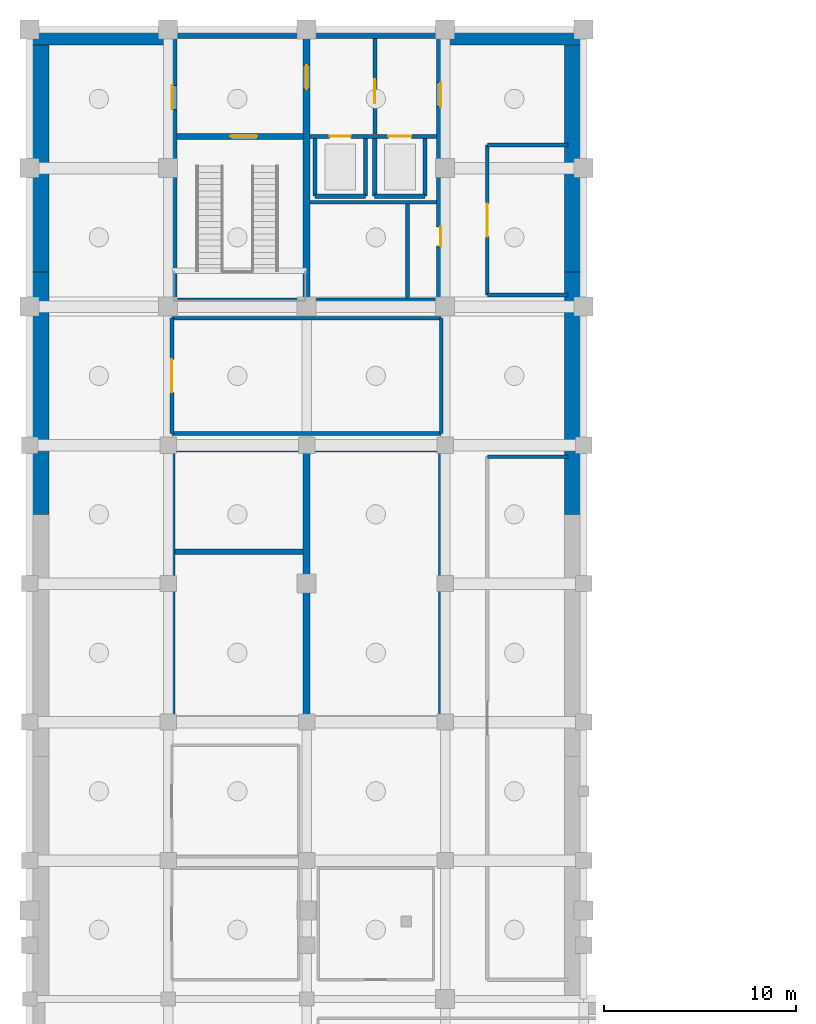
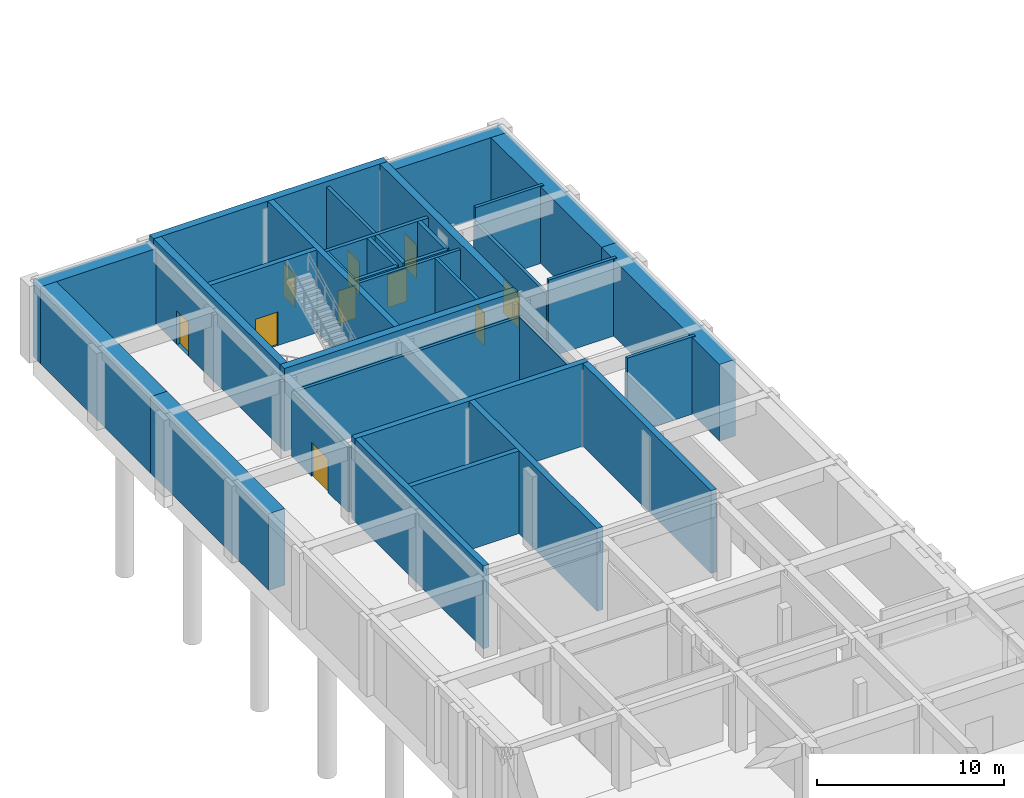
# One storey, part 9 of 15: 35 walls, 10 doors, 10 openings.
"""IFC4 building model written with IfcOpenShell, lengths in metres."""

from ifc_helpers import new_model, si_unit, direction, frame, frame_2d, origin, place, context, subcontext, project, spatial, rectangle, extrude, material, layer, layer_set, type_object, element, fill, save


model = new_model("IFC4")

# Units and contexts
model_context = context("Model", 3, precision=1e-05, world=origin(), true_north=direction((0.0, 1.0)))
body_context = subcontext(model_context, "Body", "Model", "MODEL_VIEW")
ifc_project = project(units=[si_unit("LENGTHUNIT", "METRE"), si_unit("AREAUNIT", "SQUARE_METRE"), si_unit("VOLUMEUNIT", "CUBIC_METRE"), si_unit("PLANEANGLEUNIT", "RADIAN"), si_unit("MASSUNIT", "GRAM", prefix="KILO")], contexts=[model_context])

# Site, building, storey
site_placement = place(None, origin())
site = spatial("IfcSite", under=ifc_project, at=site_placement, CompositionType="ELEMENT")
building_placement = place(site_placement, origin())
building = spatial("IfcBuilding", under=site, at=building_placement, Name="Leyfeld Transit Interchange", CompositionType="ELEMENT")
storey_placement = place(building_placement, frame((0.0, 0.0, -10.800048828125)))
storey = spatial("IfcBuildingStorey", under=building, at=storey_placement, Name="B02", CompositionType="ELEMENT", Elevation=-10.800048828125)

# Walls
ifc_material_1 = material(Name="Concrete C35/45", Category="concrete")
ifc_layer_1 = layer(ifc_material_1, 1.0, Name="Concrete C35/45")
ifc_layer_set_1 = layer_set([ifc_layer_1], Name="Concrete C35/45")
wall_type_1 = type_object("IfcWallType", Name="WL-DW-1000", PredefinedType="USERDEFINED", material=ifc_layer_set_1)
wall_1_placement = place(storey_placement, frame((0.5, 82.800048828125, 0.0), z_axis=(0.0, 0.0, 1.0), x_axis=(0.0, 1.0, 0.0)))
element("IfcWall", 1, at=wall_1_placement, inside=storey, type_object=wall_type_1, Name="Metro Diaphragm Wall DW-B02-S03-P03", ObjectType="RETAININGWALL", PredefinedType="USERDEFINED", context=body_context, shape_type="SweptSolid", body=[
    extrude(rectangle(XDim=12.599853515625, YDim=1.0, at=frame_2d((6.2998046875, 0.0))), origin(), (0.0, 0.0, 1.0), 5.0),
])
for number, where, z_axis, x_axis, name in (
    (2, (0.5, 95.39990234375, 0.0), (0.0, 0.0, 1.0), (0.0, 1.0, 0.0), "Metro Diaphragm Wall DW-B02-S03-P04"),
    (3, (28.300048828125, 108.0, 0.0), (0.0, 0.0, 1.0), (0.0, -1.0, 0.0), "Metro Diaphragm Wall DW-B02-S05-P01"),
):
    element("IfcWall", number, at=place(storey_placement, frame(where, z_axis=z_axis, x_axis=x_axis)), inside=storey, type_object=wall_type_1, Name=name, ObjectType="RETAININGWALL", PredefinedType="USERDEFINED", context=body_context, shape_type="SweptSolid", body=[
        extrude(rectangle(XDim=12.60009765625, YDim=1.0, at=frame_2d((6.300048828125, 0.0))), origin(), (0.0, 0.0, 1.0), 5.0),
    ])
wall_2_placement = place(storey_placement, frame((28.300048828125, 95.39990234375, 0.0), z_axis=(0.0, 0.0, 1.0), x_axis=(0.0, -1.0, 0.0)))
element("IfcWall", 4, at=wall_2_placement, inside=storey, type_object=wall_type_1, Name="Metro Diaphragm Wall DW-B02-S05-P02", ObjectType="RETAININGWALL", PredefinedType="USERDEFINED", context=body_context, shape_type="SweptSolid", body=[
    extrude(rectangle(XDim=12.599853515625, YDim=1.0, at=frame_2d((6.2998046875, 0.0))), origin(), (0.0, 0.0, 1.0), 5.0),
])
ifc_layer_2 = layer(ifc_material_1, 0.800048828125, Name="Concrete C35/45")
ifc_layer_set_2 = layer_set([ifc_layer_2], Name="Concrete C35/45")
wall_type_2 = type_object("IfcWallType", Name="WL-DW-800", PredefinedType="USERDEFINED", material=ifc_layer_set_2)
wall_3_placement = place(storey_placement, frame((0.0, 107.60009765625, 0.0), z_axis=(0.0, 0.0, 1.0), x_axis=(1.0, 0.0, 0.0)))
element("IfcWall", 5, at=wall_3_placement, inside=storey, type_object=wall_type_2, Name="Metro Diaphragm Wall DW-B02-S04-P01", ObjectType="RETAININGWALL", PredefinedType="USERDEFINED", context=body_context, shape_type="SweptSolid", body=[
    extrude(rectangle(XDim=7.14990234375, YDim=0.800048828125, at=frame_2d((3.574951171875, 0.0))), origin(), (0.0, 0.0, 1.0), 5.0),
])
wall_4_placement = place(storey_placement, frame((21.64990234375, 107.60009765625, 0.0), z_axis=(0.0, 0.0, 1.0), x_axis=(1.0, 0.0, 0.0)))
element("IfcWall", 6, at=wall_4_placement, inside=storey, type_object=wall_type_2, Name="Metro Diaphragm Wall DW-B02-S04-P02", ObjectType="RETAININGWALL", PredefinedType="USERDEFINED", context=body_context, shape_type="SweptSolid", body=[
    extrude(rectangle(XDim=7.150146484375, YDim=0.800048828125, at=frame_2d((3.5751953125, 0.0))), origin(), (0.0, 0.0, 1.0), 5.0),
])

# Wall, opening, door
ifc_layer_3 = layer(ifc_material_1, 0.199951171875, Name="Concrete C35/45")
ifc_layer_set_3 = layer_set([ifc_layer_3], Name="Concrete C35/45")
wall_type_3 = type_object("IfcWallType", Name="WL-INT-FFL-200", PredefinedType="PARTITIONING", material=ifc_layer_set_3)
wall_5_placement = place(storey_placement, frame((17.949951171875, 102.56005859375, 0.0), z_axis=(0.0, 0.0, 1.0), x_axis=(0.0, 1.0, 0.0)))
wall_5 = element("IfcWall", 7, at=wall_5_placement, inside=storey, type_object=wall_type_3, Name="Core K1 Firefighting Lobby Compartment Wall B02", PredefinedType="PARTITIONING", context=body_context, shape_type="SweptSolid", body=[
    extrude(rectangle(XDim=4.989990234375, YDim=0.199951171875, at=frame_2d((2.4951171875, 0.0))), origin(), (0.0, 0.0, 1.0), 5.050048828125),
])
opening_1_placement = place(wall_5_placement, frame((1.60009765625, 0.0, 0.0)))
opening_1 = element("IfcOpeningElement", 8, at=opening_1_placement, cuts=wall_5, Name="Opening DI-02", PredefinedType="OPENING", context=body_context, shape_type="SweptSolid", body=[
    extrude(rectangle(XDim=1.25, YDim=2.199951171875, at=frame_2d((0.625, 1.10009765625))), frame((0.0, 0.10986328125, 0.0), z_axis=(0.0, -1.0, 0.0), x_axis=(1.0, 0.0, 0.0)), (0.0, 0.0, 1.0), 0.219970703125),
])
ifc_material_2 = material(Name="Galvanised steel S275JR", Category="steel")
door_type_1 = type_object("IfcDoorType", Name="DR-FFL-1250x2200", OperationType="NOTDEFINED", PredefinedType="DOOR", material=ifc_material_2)
door_1_placement = place(opening_1_placement, origin())
door_1 = element("IfcDoor", 9, at=door_1_placement, inside=storey, type_object=door_type_1, Name="DR-FFL-CON-K1-B02", OperationType="SINGLE_SWING_RIGHT", OverallHeight=2.199951171875, OverallWidth=1.25, PredefinedType="DOOR", context=body_context, shape_type="SweptSolid", body=[
    extrude(rectangle(XDim=1.25, YDim=2.199951171875, at=frame_2d((0.625, 1.10009765625))), frame((0.0, 0.02490234375, 0.0), z_axis=(0.0, -1.0, 0.0), x_axis=(1.0, 0.0, 0.0)), (0.0, 0.0, 1.0), 0.050048828125),
])
fill(opening_1, door_1)

# Walls
ifc_material_3 = material(Name="Calcium silicate masonry", Category="masonry")
ifc_layer_4 = layer(ifc_material_3, 0.18994140625, Name="Calcium silicate masonry")
ifc_layer_set_4 = layer_set([ifc_layer_4], Name="Calcium silicate masonry")
wall_type_4 = type_object("IfcWallType", Name="WL-INT-PLT-190", PredefinedType="PARTITIONING", material=ifc_layer_set_4)
wall_6_placement = place(storey_placement, frame((14.580078125, 99.02001953125, 0.0), z_axis=(0.0, 0.0, 1.0), x_axis=(1.0, 0.0, 0.0)))
element("IfcWall", 10, at=wall_6_placement, inside=storey, type_object=wall_type_4, Name="Core K1 Riser Compartment Wall B02", PredefinedType="PARTITIONING", context=body_context, shape_type="SweptSolid", body=[
    extrude(rectangle(XDim=6.56982421875, YDim=0.18994140625, at=frame_2d((3.284912109375, 0.0))), origin(), (0.0, 0.0, 1.0), 5.050048828125),
])
wall_7_placement = place(storey_placement, frame((19.64990234375, 94.050048828125, 0.0), z_axis=(0.0, 0.0, 1.0), x_axis=(0.0, 1.0, 0.0)))
element("IfcWall", 11, at=wall_7_placement, inside=storey, type_object=wall_type_4, Name="Core K1 Riser Shaft East Wall B02", PredefinedType="PARTITIONING", context=body_context, shape_type="SweptSolid", body=[
    extrude(rectangle(XDim=4.8798828125, YDim=0.18994140625, at=frame_2d((2.43994140625, 0.0))), origin(), (0.0, 0.0, 1.0), 5.050048828125),
])
for number, where, z_axis, x_axis, name in (
    (12, (7.39990234375, 93.0, 0.0), (0.0, 0.0, 1.0), (1.0, 0.0, 0.0), "Interior Partition B02-UPS-01 N"),
    (13, (21.39990234375, 87.0, 0.0), (0.0, 0.0, 1.0), (-1.0, 0.0, 0.0), "Interior Partition B02-UPS-01 S"),
):
    element("IfcWall", number, at=place(storey_placement, frame(where, z_axis=z_axis, x_axis=x_axis)), inside=storey, type_object=wall_type_4, Name=name, PredefinedType="PARTITIONING", context=body_context, shape_type="SweptSolid", body=[
        extrude(rectangle(XDim=14.0, YDim=0.18994140625, at=frame_2d((7.0, 0.0))), origin(), (0.0, 0.0, 1.0), 4.219970703125),
    ])
wall_8_placement = place(storey_placement, frame((21.39990234375, 93.0, 0.0), z_axis=(0.0, 0.0, 1.0), x_axis=(0.0, -1.0, 0.0)))
element("IfcWall", 14, at=wall_8_placement, inside=storey, type_object=wall_type_4, Name="Interior Partition B02-UPS-01 E", PredefinedType="PARTITIONING", context=body_context, shape_type="SweptSolid", body=[
    extrude(rectangle(XDim=6.0, YDim=0.18994140625, at=frame_2d((3.0, 0.0))), origin(), (0.0, 0.0, 1.0), 4.219970703125),
])

# Wall, opening, door
wall_9_placement = place(storey_placement, frame((7.39990234375, 87.0, 0.0), z_axis=(0.0, 0.0, 1.0), x_axis=(0.0, 1.0, 0.0)))
wall_9 = element("IfcWall", 15, at=wall_9_placement, inside=storey, type_object=wall_type_4, Name="Interior Partition B02-UPS-01 W", PredefinedType="PARTITIONING", context=body_context, shape_type="SweptSolid", body=[
    extrude(rectangle(XDim=6.0, YDim=0.18994140625, at=frame_2d((3.0, 0.0))), origin(), (0.0, 0.0, 1.0), 4.219970703125),
])
opening_2_placement = place(wall_9_placement, frame((2.139892578125, 0.0, 0.0)))
opening_2 = element("IfcOpeningElement", 16, at=opening_2_placement, cuts=wall_9, Name="Opening DU-18", PredefinedType="OPENING", context=body_context, shape_type="SweptSolid", body=[
    extrude(rectangle(XDim=1.719970703125, YDim=2.219970703125, at=frame_2d((0.85986328125, 1.10986328125))), frame((0.0, 0.10498046875, 0.0), z_axis=(0.0, -1.0, 0.0), x_axis=(1.0, 0.0, 0.0)), (0.0, 0.0, 1.0), 0.2099609375),
])
ifc_material_4 = material(Name="Austrian larch glulam GL28h", Category="wood")
door_type_2 = type_object("IfcDoorType", Name="DR-UNQ-18", OperationType="NOTDEFINED", PredefinedType="DOOR", material=ifc_material_4)
door_2_placement = place(opening_2_placement, origin())
door_2 = element("IfcDoor", 17, at=door_2_placement, inside=storey, type_object=door_type_2, Name="DR-B02-UPS-01", OperationType="DOUBLE_DOOR_SINGLE_SWING", OverallHeight=2.219970703125, OverallWidth=1.719970703125, PredefinedType="DOOR", context=body_context, shape_type="SweptSolid", body=[
    extrude(rectangle(XDim=1.719970703125, YDim=2.219970703125, at=frame_2d((0.85986328125, 1.10986328125))), frame((0.0, 0.02490234375, 0.0), z_axis=(0.0, -1.0, 0.0), x_axis=(1.0, 0.0, 0.0)), (0.0, 0.0, 1.0), 0.050048828125),
])
fill(opening_2, door_2)

# Walls
for number, where, z_axis, x_axis, name in (
    (18, (23.800048828125, 85.800048828125, 0.0), (0.0, 0.0, 1.0), (1.0, 0.0, 0.0), "Interior Partition B02-SWG-01 N"),
    (19, (23.800048828125, 102.0, 0.0), (0.0, 0.0, 1.0), (1.0, 0.0, 0.0), "Interior Partition B02-CHL-01 N"),
    (20, (28.0, 94.199951171875, 0.0), (0.0, 0.0, 1.0), (-1.0, 0.0, 0.0), "Interior Partition B02-CHL-01 S"),
):
    element("IfcWall", number, at=place(storey_placement, frame(where, z_axis=z_axis, x_axis=x_axis)), inside=storey, type_object=wall_type_4, Name=name, PredefinedType="PARTITIONING", context=body_context, shape_type="SweptSolid", body=[
        extrude(rectangle(XDim=4.199951171875, YDim=0.18994140625, at=frame_2d((2.10009765625, 0.0))), origin(), (0.0, 0.0, 1.0), 5.050048828125),
    ])

# Wall, opening, door
wall_10_placement = place(storey_placement, frame((23.800048828125, 94.199951171875, 0.0), z_axis=(0.0, 0.0, 1.0), x_axis=(0.0, 1.0, 0.0)))
wall_10 = element("IfcWall", 21, at=wall_10_placement, inside=storey, type_object=wall_type_4, Name="Interior Partition B02-CHL-01 W", PredefinedType="PARTITIONING", context=body_context, shape_type="SweptSolid", body=[
    extrude(rectangle(XDim=7.800048828125, YDim=0.18994140625, at=frame_2d((3.89990234375, 0.0))), origin(), (0.0, 0.0, 1.0), 4.1201171875),
])
opening_3_placement = place(wall_10_placement, frame((3.0400390625, 0.0, 0.0)))
opening_3 = element("IfcOpeningElement", 22, at=opening_3_placement, cuts=wall_10, Name="Opening DU-18", PredefinedType="OPENING", context=body_context, shape_type="SweptSolid", body=[
    extrude(rectangle(XDim=1.719970703125, YDim=2.219970703125, at=frame_2d((0.85986328125, 1.10986328125))), frame((0.0, 0.10498046875, 0.0), z_axis=(0.0, -1.0, 0.0), x_axis=(1.0, 0.0, 0.0)), (0.0, 0.0, 1.0), 0.2099609375),
])
door_3_placement = place(opening_3_placement, origin())
door_3 = element("IfcDoor", 23, at=door_3_placement, inside=storey, type_object=door_type_2, Name="DR-B02-CHL-01", OperationType="DOUBLE_DOOR_SINGLE_SWING", OverallHeight=2.219970703125, OverallWidth=1.719970703125, PredefinedType="DOOR", context=body_context, shape_type="SweptSolid", body=[
    extrude(rectangle(XDim=1.719970703125, YDim=2.219970703125, at=frame_2d((0.85986328125, 1.10986328125))), frame((0.0, 0.02490234375, 0.0), z_axis=(0.0, -1.0, 0.0), x_axis=(1.0, 0.0, 0.0)), (0.0, 0.0, 1.0), 0.050048828125),
])
fill(opening_3, door_3)

# Wall, openings, doors
ifc_layer_5 = layer(ifc_material_1, 0.219970703125, Name="Concrete C35/45")
ifc_layer_set_5 = layer_set([ifc_layer_5], Name="Concrete C35/45")
wall_type_5 = type_object("IfcWallType", Name="WL-INT-SHF-220", PredefinedType="PARTITIONING", material=ifc_layer_set_5)
wall_11_placement = place(storey_placement, frame((14.580078125, 102.449951171875, 0.0), z_axis=(0.0, 0.0, 1.0), x_axis=(1.0, 0.0, 0.0)))
wall_11 = element("IfcWall", 24, at=wall_11_placement, inside=storey, type_object=wall_type_5, Name="Core K1 Lift Shaft Front Wall B02", PredefinedType="PARTITIONING", context=body_context, shape_type="SweptSolid", body=[
    extrude(rectangle(XDim=6.56982421875, YDim=0.219970703125, at=frame_2d((3.284912109375, 0.0))), origin(), (0.0, 0.0, 1.0), 5.050048828125),
])
opening_4_placement = place(wall_11_placement, frame((1.02001953125, 0.0, 0.0)))
opening_4 = element("IfcOpeningElement", 25, at=opening_4_placement, cuts=wall_11, Name="Opening LD-01", PredefinedType="OPENING", context=body_context, shape_type="SweptSolid", body=[
    extrude(rectangle(XDim=1.10009765625, YDim=2.14990234375, at=frame_2d((0.550048828125, 1.074951171875))), frame((0.0, 0.119873046875, 0.0), z_axis=(0.0, -1.0, 0.0), x_axis=(1.0, 0.0, 0.0)), (0.0, 0.0, 1.0), 0.239990234375),
])
opening_5_placement = place(wall_11_placement, frame((4.070068359375, 0.0, 0.0)))
opening_5 = element("IfcOpeningElement", 26, at=opening_5_placement, cuts=wall_11, Name="Opening LD-02", PredefinedType="OPENING", context=body_context, shape_type="SweptSolid", body=[
    extrude(rectangle(XDim=1.199951171875, YDim=2.14990234375, at=frame_2d((0.60009765625, 1.074951171875))), frame((0.0, 0.119873046875, 0.0), z_axis=(0.0, -1.0, 0.0), x_axis=(1.0, 0.0, 0.0)), (0.0, 0.0, 1.0), 0.239990234375),
])
ifc_material_5 = material(Name="Stainless steel EN 1.4404", Category="steel")
door_type_3 = type_object("IfcDoorType", Name="DR-LD-FFL-1100x2150", OperationType="NOTDEFINED", PredefinedType="DOOR", material=ifc_material_5)
door_4_placement = place(opening_4_placement, origin())
door_4 = element("IfcDoor", 27, at=door_4_placement, inside=storey, type_object=door_type_3, Name="LD-FFL-1-B02", OperationType="DOUBLE_DOOR_SLIDING", OverallHeight=2.14990234375, OverallWidth=1.10009765625, PredefinedType="DOOR", context=body_context, shape_type="SweptSolid", body=[
    extrude(rectangle(XDim=1.10009765625, YDim=2.14990234375, at=frame_2d((0.550048828125, 1.074951171875))), frame((0.0, 0.02490234375, 0.0), z_axis=(0.0, -1.0, 0.0), x_axis=(1.0, 0.0, 0.0)), (0.0, 0.0, 1.0), 0.050048828125),
])
fill(opening_4, door_4)
door_type_4 = type_object("IfcDoorType", Name="DR-LD-PAS-1200x2150", OperationType="NOTDEFINED", PredefinedType="DOOR", material=ifc_material_5)
door_5_placement = place(opening_5_placement, origin())
door_5 = element("IfcDoor", 28, at=door_5_placement, inside=storey, type_object=door_type_4, Name="LD-PL-1-B02", OperationType="DOUBLE_DOOR_SLIDING", OverallHeight=2.14990234375, OverallWidth=1.199951171875, PredefinedType="DOOR", context=body_context, shape_type="SweptSolid", body=[
    extrude(rectangle(XDim=1.199951171875, YDim=2.14990234375, at=frame_2d((0.60009765625, 1.074951171875))), frame((0.0, 0.02490234375, 0.0), z_axis=(0.0, -1.0, 0.0), x_axis=(1.0, 0.0, 0.0)), (0.0, 0.0, 1.0), 0.050048828125),
])
fill(opening_5, door_5)

# Walls
wall_12_placement = place(storey_placement, frame((14.840087890625, 99.340087890625, 0.0), z_axis=(0.0, 0.0, 1.0), x_axis=(1.0, 0.0, 0.0)))
element("IfcWall", 29, at=wall_12_placement, inside=storey, type_object=wall_type_5, Name="Core K1 Lift FFL-1 Shaft Back Wall B02", PredefinedType="PARTITIONING", context=body_context, shape_type="SweptSolid", body=[
    extrude(rectangle(XDim=2.619873046875, YDim=0.219970703125, at=frame_2d((1.31005859375, 0.0))), origin(), (0.0, 0.0, 1.0), 5.050048828125),
])
for number, where, z_axis, x_axis, name in (
    (30, (14.840087890625, 99.340087890625, 0.0), (0.0, 0.0, 1.0), (0.0, 1.0, 0.0), "Core K1 Lift FFL-1 Shaft Wall W B02"),
    (31, (17.4599609375, 99.340087890625, 0.0), (0.0, 0.0, 1.0), (0.0, 1.0, 0.0), "Core K1 Lift FFL-1 Shaft Wall E B02"),
):
    element("IfcWall", number, at=place(storey_placement, frame(where, z_axis=z_axis, x_axis=x_axis)), inside=storey, type_object=wall_type_5, Name=name, PredefinedType="PARTITIONING", context=body_context, shape_type="SweptSolid", body=[
        extrude(rectangle(XDim=3.0, YDim=0.219970703125, at=frame_2d((1.5, 0.0))), origin(), (0.0, 0.0, 1.0), 5.050048828125),
    ])
wall_13_placement = place(storey_placement, frame((17.93994140625, 99.340087890625, 0.0), z_axis=(0.0, 0.0, 1.0), x_axis=(1.0, 0.0, 0.0)))
element("IfcWall", 32, at=wall_13_placement, inside=storey, type_object=wall_type_5, Name="Core K1 Lift PL-1 Shaft Back Wall B02", PredefinedType="PARTITIONING", context=body_context, shape_type="SweptSolid", body=[
    extrude(rectangle(XDim=2.6201171875, YDim=0.219970703125, at=frame_2d((1.31005859375, 0.0))), origin(), (0.0, 0.0, 1.0), 5.050048828125),
])
for number, where, z_axis, x_axis, name in (
    (33, (17.93994140625, 99.340087890625, 0.0), (0.0, 0.0, 1.0), (0.0, 1.0, 0.0), "Core K1 Lift PL-1 Shaft Wall W B02"),
    (34, (20.56005859375, 99.340087890625, 0.0), (0.0, 0.0, 1.0), (0.0, 1.0, 0.0), "Core K1 Lift PL-1 Shaft Wall E B02"),
):
    element("IfcWall", number, at=place(storey_placement, frame(where, z_axis=z_axis, x_axis=x_axis)), inside=storey, type_object=wall_type_5, Name=name, PredefinedType="PARTITIONING", context=body_context, shape_type="SweptSolid", body=[
        extrude(rectangle(XDim=3.0, YDim=0.219970703125, at=frame_2d((1.5, 0.0))), origin(), (0.0, 0.0, 1.0), 5.050048828125),
    ])

# Wall, opening, door
ifc_layer_6 = layer(ifc_material_1, 0.300048828125, Name="Concrete C35/45")
ifc_layer_set_6 = layer_set([ifc_layer_6], Name="Concrete C35/45")
wall_type_6 = type_object("IfcWallType", Name="WL-SH-300", PredefinedType="SHEAR", material=ifc_layer_set_6)
wall_14_placement = place(storey_placement, frame((7.64990234375, 102.449951171875, 0.0), z_axis=(0.0, 0.0, 1.0), x_axis=(1.0, 0.0, 0.0)))
wall_14 = element("IfcWall", 35, at=wall_14_placement, inside=storey, type_object=wall_type_6, Name="Core K1 Shear Wall STRN B02", PredefinedType="SHEAR", context=body_context, shape_type="SweptSolid", body=[
    extrude(rectangle(XDim=6.5751953125, YDim=0.300048828125, at=frame_2d((3.28759765625, 0.0))), origin(), (0.0, 0.0, 1.0), 5.400146484375),
])
opening_6_placement = place(wall_14_placement, frame((2.78759765625, 0.0, 0.0)))
opening_6 = element("IfcOpeningElement", 36, at=opening_6_placement, cuts=wall_14, Name="Opening DI-01", PredefinedType="OPENING", context=body_context, shape_type="SweptSolid", body=[
    extrude(rectangle(XDim=1.39990234375, YDim=2.199951171875, at=frame_2d((0.699951171875, 1.10009765625))), frame((0.0, 0.159912109375, 0.0), z_axis=(0.0, -1.0, 0.0), x_axis=(1.0, 0.0, 0.0)), (0.0, 0.0, 1.0), 0.320068359375),
])
door_type_5 = type_object("IfcDoorType", Name="DR-STR-1400x2200", OperationType="NOTDEFINED", PredefinedType="DOOR", material=ifc_material_2)
door_6_placement = place(opening_6_placement, origin())
door_6 = element("IfcDoor", 37, at=door_6_placement, inside=storey, type_object=door_type_5, Name="DR-STR-INT-K1-B02", OperationType="SINGLE_SWING_LEFT", OverallHeight=2.199951171875, OverallWidth=1.39990234375, PredefinedType="DOOR", context=body_context, shape_type="SweptSolid", body=[
    extrude(rectangle(XDim=1.39990234375, YDim=2.199951171875, at=frame_2d((0.699951171875, 1.10009765625))), frame((0.0, 0.02490234375, 0.0), z_axis=(0.0, -1.0, 0.0), x_axis=(1.0, 0.0, 0.0)), (0.0, 0.0, 1.0), 0.050048828125),
])
fill(opening_6, door_6)

# Wall
wall_15_placement = place(storey_placement, frame((7.550048828125, 80.85009765625, 0.0), z_axis=(0.0, 0.0, 1.0), x_axis=(1.0, 0.0, 0.0)))
element("IfcWall", 38, at=wall_15_placement, inside=storey, type_object=wall_type_6, Name="Core K3 Shear Wall STRN B02", PredefinedType="SHEAR", context=body_context, shape_type="SweptSolid", body=[
    extrude(rectangle(XDim=6.675048828125, YDim=0.300048828125, at=frame_2d((3.33740234375, 0.0))), origin(), (0.0, 0.0, 1.0), 5.400146484375),
])

# Wall, opening, door
ifc_layer_7 = layer(ifc_material_1, 0.35009765625, Name="Concrete C35/45")
ifc_layer_set_7 = layer_set([ifc_layer_7], Name="Concrete C35/45")
wall_type_7 = type_object("IfcWallType", Name="WL-SH-350", PredefinedType="SHEAR", material=ifc_layer_set_7)
wall_16_placement = place(storey_placement, frame((14.39990234375, 107.550048828125, 0.0), z_axis=(0.0, 0.0, 1.0), x_axis=(0.0, -1.0, 0.0)))
wall_16 = element("IfcWall", 39, at=wall_16_placement, inside=storey, type_object=wall_type_7, Name="Core K1 Shear Wall MID B02", PredefinedType="SHEAR", context=body_context, shape_type="SweptSolid", body=[
    extrude(rectangle(XDim=13.5, YDim=0.35009765625, at=frame_2d((6.75, 0.0))), origin(), (0.0, 0.0, 1.0), 5.400146484375),
])
opening_7_placement = place(wall_16_placement, frame((1.39990234375, 0.0, 0.0)))
opening_7 = element("IfcOpeningElement", 40, at=opening_7_placement, cuts=wall_16, Name="Opening DI-02", PredefinedType="OPENING", context=body_context, shape_type="SweptSolid", body=[
    extrude(rectangle(XDim=1.25, YDim=2.199951171875, at=frame_2d((0.625, 1.10009765625))), frame((0.0, 0.18505859375, 0.0), z_axis=(0.0, -1.0, 0.0), x_axis=(1.0, 0.0, 0.0)), (0.0, 0.0, 1.0), 0.3701171875),
])
door_7_placement = place(opening_7_placement, origin())
door_7 = element("IfcDoor", 41, at=door_7_placement, inside=storey, type_object=door_type_1, Name="DR-CORE-MID-K1-B02", OperationType="SINGLE_SWING_RIGHT", OverallHeight=2.199951171875, OverallWidth=1.25, PredefinedType="DOOR", context=body_context, shape_type="SweptSolid", body=[
    extrude(rectangle(XDim=1.25, YDim=2.199951171875, at=frame_2d((0.625, 1.10009765625))), frame((0.0, 0.02490234375, 0.0), z_axis=(0.0, -1.0, 0.0), x_axis=(1.0, 0.0, 0.0)), (0.0, 0.0, 1.0), 0.050048828125),
])
fill(opening_7, door_7)

# Walls
wall_17_placement = place(storey_placement, frame((7.199951171875, 86.22509765625, 0.0), z_axis=(0.0, 0.0, 1.0), x_axis=(1.0, 0.0, 0.0)))
element("IfcWall", 42, at=wall_17_placement, inside=storey, type_object=wall_type_7, Name="Core K3 Shear Wall N B02", PredefinedType="SHEAR", context=body_context, shape_type="SweptSolid", body=[
    extrude(rectangle(XDim=14.400146484375, YDim=0.35009765625, at=frame_2d((7.2001953125, 0.0))), origin(), (0.0, 0.0, 1.0), 5.400146484375),
])
for number, where, z_axis, x_axis, name in (
    (43, (21.425048828125, 86.050048828125, 0.0), (0.0, 0.0, 1.0), (0.0, -1.0, 0.0), "Core K3 Shear Wall E B02"),
    (44, (7.375, 72.35009765625, 0.0), (0.0, 0.0, 1.0), (0.0, 1.0, 0.0), "Core K3 Shear Wall W B02"),
    (45, (14.39990234375, 86.050048828125, 0.0), (0.0, 0.0, 1.0), (0.0, -1.0, 0.0), "Core K3 Shear Wall MID B02"),
):
    element("IfcWall", number, at=place(storey_placement, frame(where, z_axis=z_axis, x_axis=x_axis)), inside=storey, type_object=wall_type_7, Name=name, PredefinedType="SHEAR", context=body_context, shape_type="SweptSolid", body=[
        extrude(rectangle(XDim=13.699951171875, YDim=0.35009765625, at=frame_2d((6.85009765625, 0.0))), origin(), (0.0, 0.0, 1.0), 5.400146484375),
    ])
ifc_layer_8 = layer(ifc_material_1, 0.449951171875, Name="Concrete C35/45")
ifc_layer_set_8 = layer_set([ifc_layer_8], Name="Concrete C35/45")
wall_type_8 = type_object("IfcWallType", Name="WL-SH-450", PredefinedType="SHEAR", material=ifc_layer_set_8)
wall_18_placement = place(storey_placement, frame((7.199951171875, 107.77490234375, 0.0), z_axis=(0.0, 0.0, 1.0), x_axis=(1.0, 0.0, 0.0)))
element("IfcWall", 46, at=wall_18_placement, inside=storey, type_object=wall_type_8, Name="Core K1 Shear Wall N B02", PredefinedType="SHEAR", context=body_context, shape_type="SweptSolid", body=[
    extrude(rectangle(XDim=14.400146484375, YDim=0.449951171875, at=frame_2d((7.2001953125, 0.0))), origin(), (0.0, 0.0, 1.0), 5.400146484375),
])

# Wall, openings, doors
wall_19_placement = place(storey_placement, frame((21.375, 107.550048828125, 0.0), z_axis=(0.0, 0.0, 1.0), x_axis=(0.0, -1.0, 0.0)))
wall_19 = element("IfcWall", 47, at=wall_19_placement, inside=storey, type_object=wall_type_8, Name="Core K1 Shear Wall E B02", PredefinedType="SHEAR", context=body_context, shape_type="SweptSolid", body=[
    extrude(rectangle(XDim=13.5, YDim=0.449951171875, at=frame_2d((6.75, 0.0))), origin(), (0.0, 0.0, 1.0), 5.400146484375),
])
opening_8_placement = place(wall_19_placement, frame((9.800048828125, 0.0, 0.0)))
opening_8 = element("IfcOpeningElement", 48, at=opening_8_placement, cuts=wall_19, Name="Opening DI-05", PredefinedType="OPENING", context=body_context, shape_type="SweptSolid", body=[
    extrude(rectangle(XDim=1.0, YDim=2.14990234375, at=frame_2d((0.5, 1.074951171875))), frame((0.0, 0.23486328125, 0.0), z_axis=(0.0, -1.0, 0.0), x_axis=(1.0, 0.0, 0.0)), (0.0, 0.0, 1.0), 0.469970703125),
])
opening_9_placement = place(wall_19_placement, frame((2.300048828125, 0.0, 0.0)))
opening_9 = element("IfcOpeningElement", 49, at=opening_9_placement, cuts=wall_19, Name="Opening DI-02", PredefinedType="OPENING", context=body_context, shape_type="SweptSolid", body=[
    extrude(rectangle(XDim=1.25, YDim=2.199951171875, at=frame_2d((0.625, 1.10009765625))), frame((0.0, 0.23486328125, 0.0), z_axis=(0.0, -1.0, 0.0), x_axis=(1.0, 0.0, 0.0)), (0.0, 0.0, 1.0), 0.469970703125),
])
door_8_placement = place(opening_9_placement, origin())
door_8 = element("IfcDoor", 50, at=door_8_placement, inside=storey, type_object=door_type_1, Name="DR-CORE-OUT-K1-B02-E", OperationType="SINGLE_SWING_RIGHT", OverallHeight=2.199951171875, OverallWidth=1.25, PredefinedType="DOOR", context=body_context, shape_type="SweptSolid", body=[
    extrude(rectangle(XDim=1.25, YDim=2.199951171875, at=frame_2d((0.625, 1.10009765625))), frame((0.0, 0.02490234375, 0.0), z_axis=(0.0, -1.0, 0.0), x_axis=(1.0, 0.0, 0.0)), (0.0, 0.0, 1.0), 0.050048828125),
])
fill(opening_9, door_8)
door_type_6 = type_object("IfcDoorType", Name="DR-OFF-1000x2150", OperationType="NOTDEFINED", PredefinedType="DOOR", material=ifc_material_4)
door_9_placement = place(opening_8_placement, origin())
door_9 = element("IfcDoor", 51, at=door_9_placement, inside=storey, type_object=door_type_6, Name="DR-RSR-K1-B02", OperationType="SINGLE_SWING_LEFT", OverallHeight=2.14990234375, OverallWidth=1.0, PredefinedType="DOOR", context=body_context, shape_type="SweptSolid", body=[
    extrude(rectangle(XDim=1.0, YDim=2.14990234375, at=frame_2d((0.5, 1.074951171875))), frame((0.0, 0.02490234375, 0.0), z_axis=(0.0, -1.0, 0.0), x_axis=(1.0, 0.0, 0.0)), (0.0, 0.0, 1.0), 0.050048828125),
])
fill(opening_8, door_9)

# Wall
wall_20_placement = place(storey_placement, frame((21.60009765625, 93.824951171875, 0.0), z_axis=(0.0, 0.0, 1.0), x_axis=(-1.0, 0.0, 0.0)))
element("IfcWall", 52, at=wall_20_placement, inside=storey, type_object=wall_type_8, Name="Core K1 Shear Wall S B02", PredefinedType="SHEAR", context=body_context, shape_type="SweptSolid", body=[
    extrude(rectangle(XDim=14.400146484375, YDim=0.449951171875, at=frame_2d((7.2001953125, 0.0))), origin(), (0.0, 0.0, 1.0), 5.400146484375),
])

# Wall, opening, door
wall_21_placement = place(storey_placement, frame((7.425048828125, 94.050048828125, 0.0), z_axis=(0.0, 0.0, 1.0), x_axis=(0.0, 1.0, 0.0)))
wall_21 = element("IfcWall", 53, at=wall_21_placement, inside=storey, type_object=wall_type_8, Name="Core K1 Shear Wall W B02", PredefinedType="SHEAR", context=body_context, shape_type="SweptSolid", body=[
    extrude(rectangle(XDim=13.5, YDim=0.449951171875, at=frame_2d((6.75, 0.0))), origin(), (0.0, 0.0, 1.0), 5.400146484375),
])
opening_10_placement = place(wall_21_placement, frame((9.800048828125, 0.0, 0.0)))
opening_10 = element("IfcOpeningElement", 54, at=opening_10_placement, cuts=wall_21, Name="Opening DI-02", PredefinedType="OPENING", context=body_context, shape_type="SweptSolid", body=[
    extrude(rectangle(XDim=1.25, YDim=2.199951171875, at=frame_2d((0.625, 1.10009765625))), frame((0.0, 0.23486328125, 0.0), z_axis=(0.0, -1.0, 0.0), x_axis=(1.0, 0.0, 0.0)), (0.0, 0.0, 1.0), 0.469970703125),
])
door_10_placement = place(opening_10_placement, origin())
door_10 = element("IfcDoor", 55, at=door_10_placement, inside=storey, type_object=door_type_1, Name="DR-CORE-OUT-K1-B02-W", OperationType="SINGLE_SWING_LEFT", OverallHeight=2.199951171875, OverallWidth=1.25, PredefinedType="DOOR", context=body_context, shape_type="SweptSolid", body=[
    extrude(rectangle(XDim=1.25, YDim=2.199951171875, at=frame_2d((0.625, 1.10009765625))), frame((0.0, 0.02490234375, 0.0), z_axis=(0.0, -1.0, 0.0), x_axis=(1.0, 0.0, 0.0)), (0.0, 0.0, 1.0), 0.050048828125),
])
fill(opening_10, door_10)

save(model, "model.ifc")
